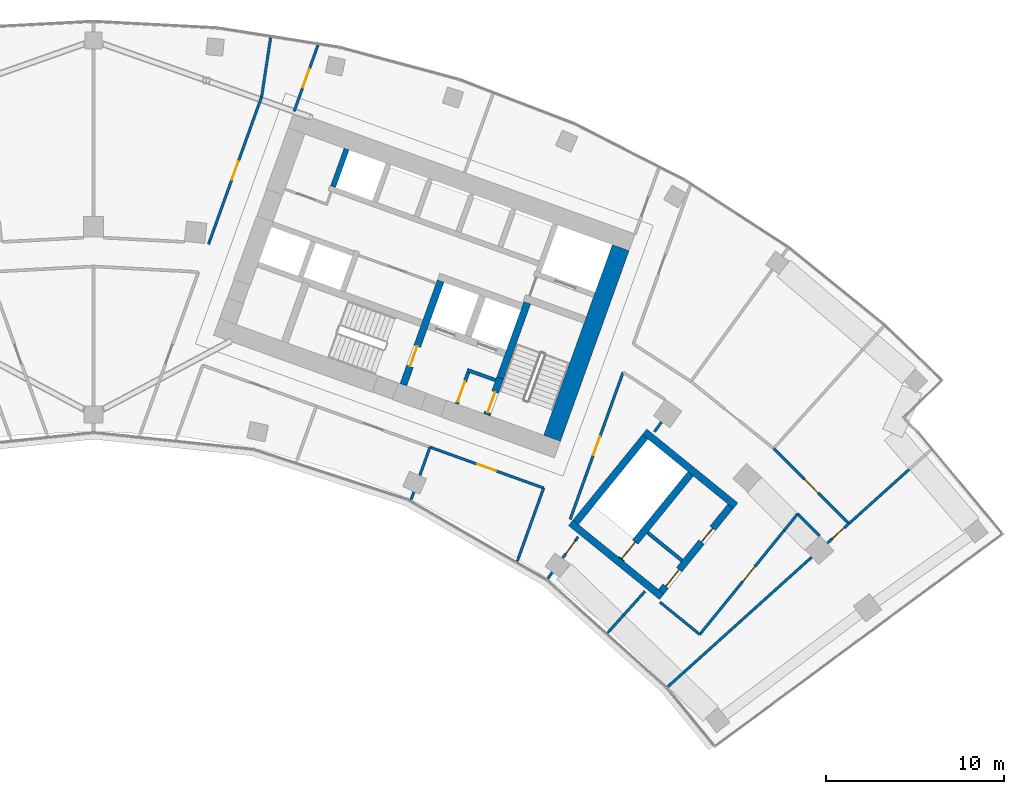
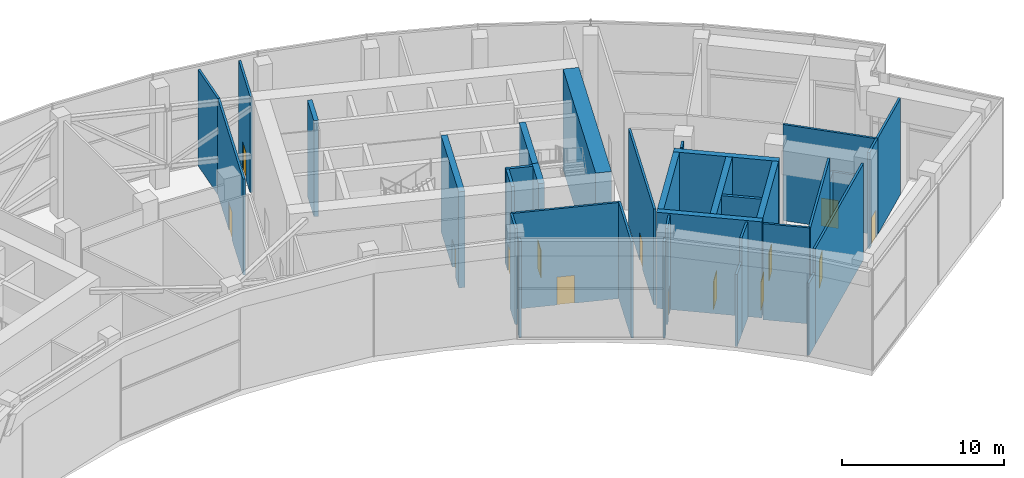
# One storey, part 22 of 26: 35 walls, 14 doors, 14 openings.
"""IFC4 building model written with IfcOpenShell, lengths in metres."""

from ifc_helpers import new_model, si_unit, direction, frame, frame_2d, origin, place, context, subcontext, project, spatial, rectangle, extrude, material, layer, layer_set, type_object, element, fill, save


model = new_model("IFC4")

# Units and contexts
model_context = context("Model", 3, precision=1e-05, world=origin(), true_north=direction((0.0, 1.0)))
body_context = subcontext(model_context, "Body", "Model", "MODEL_VIEW")
ifc_project = project(units=[si_unit("LENGTHUNIT", "METRE"), si_unit("AREAUNIT", "SQUARE_METRE"), si_unit("VOLUMEUNIT", "CUBIC_METRE"), si_unit("PLANEANGLEUNIT", "RADIAN"), si_unit("MASSUNIT", "GRAM", prefix="KILO")], contexts=[model_context])

# Site, building, storey
site_placement = place(None, origin())
site = spatial("IfcSite", under=ifc_project, at=site_placement, CompositionType="ELEMENT")
building_placement = place(site_placement, origin())
building = spatial("IfcBuilding", under=site, at=building_placement, Name="Stone Belt Terrace Tower", CompositionType="ELEMENT")
storey_placement = place(building_placement, frame((0.0, 0.0, 250.39990234375)))
storey = spatial("IfcBuildingStorey", under=building, at=storey_placement, Name="L61", CompositionType="ELEMENT", Elevation=250.39990234375)

# Walls
ifc_material_1 = material(Name="Concrete B60", Category="concrete")
ifc_layer_1 = layer(ifc_material_1, 1.0)
ifc_layer_set_1 = layer_set([ifc_layer_1], Name="Core wall 1000 B60")
wall_type_1 = type_object("IfcWallType", Name="Core wall 1000 B60", PredefinedType="SHEAR", material=ifc_layer_set_1)
wall_1_placement = place(storey_placement, frame((25.821044921875, 43.102783203125, 0.0), z_axis=(0.0, 0.0, 1.0), x_axis=(0.338625431531, 0.940921259788, 0.0)))
element("IfcWall", 1, at=wall_1_placement, inside=storey, type_object=wall_type_1, Name="Core B wall end_b L61", PredefinedType="SHEAR", context=body_context, shape_type="SweptSolid", body=[
    extrude(rectangle(XDim=11.400146484375, YDim=1.0, at=frame_2d((5.7001953125, 0.0))), origin(), (0.0, 0.0, 1.0), 7.60009765625),
])
ifc_material_2 = material(Name="Concrete B80", Category="concrete")
ifc_layer_2 = layer(ifc_material_2, 0.300048828125)
ifc_layer_set_2 = layer_set([ifc_layer_2], Name="Lift shaft wall 300")
wall_type_2 = type_object("IfcWallType", Name="Lift shaft wall 300", PredefinedType="SHEAR", material=ifc_layer_set_2)
wall_2_placement = place(storey_placement, frame((13.48828125, 57.265625, 0.0), z_axis=(0.0, 0.0, 1.0), x_axis=(0.338631098537, 0.940919220286, 0.0)))
element("IfcWall", 2, at=wall_2_placement, inside=storey, type_object=wall_type_2, Name="Core B wall", PredefinedType="SHEAR", context=body_context, shape_type="SweptSolid", body=[
    extrude(rectangle(XDim=2.250244140625, YDim=0.300048828125, at=frame_2d((1.125, 0.0))), origin(), (0.0, 0.0, 1.0), 7.25),
])

# Wall, opening, door
ifc_material_3 = material(Name="Gypsum board partition")
ifc_layer_3 = layer(ifc_material_3, 0.14990234375)
ifc_layer_set_3 = layer_set([ifc_layer_3], Name="PARTITION 150 EI 60")
wall_type_3 = type_object("IfcWallType", Name="PARTITION 150 EI 60", PredefinedType="PARTITIONING", material=ifc_layer_set_3)
wall_3_placement = place(storey_placement, frame((12.6357421875, 65.232177734375, 0.0), z_axis=(0.0, 0.0, 1.0), x_axis=(-0.338610223579, -0.940926732795, 0.0)))
wall_3 = element("IfcWall", 3, at=wall_3_placement, inside=storey, type_object=wall_type_3, Name="L61/wall/i021", PredefinedType="PARTITIONING", context=body_context, shape_type="SweptSolid", body=[
    extrude(rectangle(XDim=3.956787109375, YDim=0.14990234375, at=frame_2d((1.978515625, 0.0))), origin(), (0.0, 0.0, 1.0), 7.25),
])
opening_1_placement = place(wall_3_placement, frame((1.428466796875, 0.0, 0.0)))
opening_1 = element("IfcOpeningElement", 4, at=opening_1_placement, cuts=wall_3, Name="Opening D-T4-09", PredefinedType="OPENING", context=body_context, shape_type="SweptSolid", body=[
    extrude(rectangle(XDim=1.10009765625, YDim=2.10009765625, at=frame_2d((0.550048828125, 1.050048828125))), frame((0.0, 0.0849609375, 0.0), z_axis=(0.0, -1.0, 0.0), x_axis=(1.0, 0.0, 0.0)), (0.0, 0.0, 1.0), 0.169921875),
])
ifc_material_4 = material(Name="Steel fire door set", Category="steel")
door_type_1 = type_object("IfcDoorType", Name="SERVICE ROOM DOOR 1100 X 2100", OperationType="NOTDEFINED", PredefinedType="DOOR", material=ifc_material_4)
door_1_placement = place(opening_1_placement, origin())
door_1 = element("IfcDoor", 5, at=door_1_placement, inside=storey, type_object=door_type_1, Name="L61/door/i09", OperationType="SINGLE_SWING_RIGHT", OverallHeight=2.10009765625, OverallWidth=1.10009765625, PredefinedType="DOOR", context=body_context, shape_type="SweptSolid", body=[
    extrude(rectangle(XDim=1.10009765625, YDim=2.10009765625, at=frame_2d((0.550048828125, 1.050048828125))), frame((0.0, 0.02490234375, 0.0), z_axis=(0.0, -1.0, 0.0), x_axis=(1.0, 0.0, 0.0)), (0.0, 0.0, 1.0), 0.050048828125),
])
fill(opening_1, door_1)

wall_4_placement = place(storey_placement, frame((6.47509765625, 54.02001953125, 0.0), z_axis=(0.0, 0.0, 1.0), x_axis=(0.338603075024, 0.940929305307, 0.0)))
wall_4 = element("IfcWall", 6, at=wall_4_placement, inside=storey, type_object=wall_type_3, Name="L61/wall/i023", PredefinedType="PARTITIONING", context=body_context, shape_type="SweptSolid", body=[
    extrude(rectangle(XDim=8.839111328125, YDim=0.14990234375, at=frame_2d((4.41943359375, 0.0))), origin(), (0.0, 0.0, 1.0), 7.25),
])
opening_2_placement = place(wall_4_placement, frame((3.86962890625, 0.0, 0.0)))
opening_2 = element("IfcOpeningElement", 7, at=opening_2_placement, cuts=wall_4, Name="Opening D-T4-28", PredefinedType="OPENING", context=body_context, shape_type="SweptSolid", body=[
    extrude(rectangle(XDim=1.10009765625, YDim=2.10009765625, at=frame_2d((0.550048828125, 1.050048828125))), frame((0.0, 0.0849609375, 0.0), z_axis=(0.0, -1.0, 0.0), x_axis=(1.0, 0.0, 0.0)), (0.0, 0.0, 1.0), 0.169921875),
])
door_2_placement = place(opening_2_placement, origin())
door_2 = element("IfcDoor", 8, at=door_2_placement, inside=storey, type_object=door_type_1, Name="L61/door/i28", OperationType="SINGLE_SWING_LEFT", OverallHeight=2.10009765625, OverallWidth=1.10009765625, PredefinedType="DOOR", context=body_context, shape_type="SweptSolid", body=[
    extrude(rectangle(XDim=1.10009765625, YDim=2.10009765625, at=frame_2d((0.550048828125, 1.050048828125))), frame((0.0, 0.02490234375, 0.0), z_axis=(0.0, -1.0, 0.0), x_axis=(1.0, 0.0, 0.0)), (0.0, 0.0, 1.0), 0.050048828125),
])
fill(opening_2, door_2)

# Walls
wall_5_placement = place(storey_placement, frame((9.468017578125, 62.337890625, 0.0), z_axis=(0.0, 0.0, 1.0), x_axis=(0.150154488208, 0.988662545903, 0.0)))
element("IfcWall", 9, at=wall_5_placement, inside=storey, type_object=wall_type_3, Name="L61/wall/i024", PredefinedType="PARTITIONING", context=body_context, shape_type="SweptSolid", body=[
    extrude(rectangle(XDim=3.35595703125, YDim=0.14990234375, at=frame_2d((1.677978515625, 0.0))), origin(), (0.0, 0.0, 1.0), 7.25),
])
wall_6_placement = place(storey_placement, frame((23.860107421875, 36.1787109375, 0.0), z_axis=(0.0, 0.0, 1.0), x_axis=(0.338603151709, 0.94092927771, 0.0)))
element("IfcWall", 10, at=wall_6_placement, inside=storey, type_object=wall_type_3, Name="L61/wall/i025", PredefinedType="PARTITIONING", context=body_context, shape_type="SweptSolid", body=[
    extrude(rectangle(XDim=4.38525390625, YDim=0.14990234375, at=frame_2d((2.192626953125, 0.0))), origin(), (0.0, 0.0, 1.0), 7.25),
])

# Wall, opening, door
wall_7_placement = place(storey_placement, frame((29.819091796875, 46.826904296875, 0.0), z_axis=(0.0, 0.0, 1.0), x_axis=(-0.338620385032, -0.940923075942, 0.0)))
wall_7 = element("IfcWall", 11, at=wall_7_placement, inside=storey, type_object=wall_type_3, Name="L61/wall/i027", PredefinedType="PARTITIONING", context=body_context, shape_type="SweptSolid", body=[
    extrude(rectangle(XDim=8.8125, YDim=0.14990234375, at=frame_2d((4.40625, 0.0))), origin(), (0.0, 0.0, 1.0), 7.25),
])
opening_3_placement = place(wall_7_placement, frame((3.856201171875, 0.0, 0.0)))
opening_3 = element("IfcOpeningElement", 12, at=opening_3_placement, cuts=wall_7, Name="Opening D-T4-19", PredefinedType="OPENING", context=body_context, shape_type="SweptSolid", body=[
    extrude(rectangle(XDim=1.10009765625, YDim=2.10009765625, at=frame_2d((0.550048828125, 1.050048828125))), frame((0.0, 0.0849609375, 0.0), z_axis=(0.0, -1.0, 0.0), x_axis=(1.0, 0.0, 0.0)), (0.0, 0.0, 1.0), 0.169921875),
])
door_3_placement = place(opening_3_placement, origin())
door_3 = element("IfcDoor", 13, at=door_3_placement, inside=storey, type_object=door_type_1, Name="L61/door/i19", OperationType="SINGLE_SWING_LEFT", OverallHeight=2.10009765625, OverallWidth=1.10009765625, PredefinedType="DOOR", context=body_context, shape_type="SweptSolid", body=[
    extrude(rectangle(XDim=1.10009765625, YDim=2.10009765625, at=frame_2d((0.550048828125, 1.050048828125))), frame((0.0, 0.02490234375, 0.0), z_axis=(0.0, -1.0, 0.0), x_axis=(1.0, 0.0, 0.0)), (0.0, 0.0, 1.0), 0.050048828125),
])
fill(opening_3, door_3)

wall_8_placement = place(storey_placement, frame((27.282958984375, 37.552001953125, 0.0), z_axis=(0.0, 0.0, 1.0), x_axis=(-0.587894549619, -0.808937573938, 0.0)))
wall_8 = element("IfcWall", 14, at=wall_8_placement, inside=storey, type_object=wall_type_3, Name="L61/wall/i028", PredefinedType="PARTITIONING", context=body_context, shape_type="SweptSolid", body=[
    extrude(rectangle(XDim=1.466796875, YDim=0.14990234375, at=frame_2d((0.7333984375, 0.0))), origin(), (0.0, 0.0, 1.0), 7.25),
])
opening_4_placement = place(wall_8_placement, frame((0.283447265625, 0.0, 0.0)))
opening_4 = element("IfcOpeningElement", 15, at=opening_4_placement, cuts=wall_8, Name="Opening D-T4-20", PredefinedType="OPENING", context=body_context, shape_type="SweptSolid", body=[
    extrude(rectangle(XDim=0.89990234375, YDim=2.10009765625, at=frame_2d((0.449951171875, 1.050048828125))), frame((0.0, 0.0849609375, 0.0), z_axis=(0.0, -1.0, 0.0), x_axis=(1.0, 0.0, 0.0)), (0.0, 0.0, 1.0), 0.169921875),
])
door_type_2 = type_object("IfcDoorType", Name="SERVICE ROOM DOOR 900 X 2100", OperationType="NOTDEFINED", PredefinedType="DOOR", material=ifc_material_4)
door_4_placement = place(opening_4_placement, origin())
door_4 = element("IfcDoor", 16, at=door_4_placement, inside=storey, type_object=door_type_2, Name="L61/door/i20", OperationType="SINGLE_SWING_RIGHT", OverallHeight=2.10009765625, OverallWidth=0.89990234375, PredefinedType="DOOR", context=body_context, shape_type="SweptSolid", body=[
    extrude(rectangle(XDim=0.89990234375, YDim=2.10009765625, at=frame_2d((0.449951171875, 1.050048828125))), frame((0.0, 0.02490234375, 0.0), z_axis=(0.0, -1.0, 0.0), x_axis=(1.0, 0.0, 0.0)), (0.0, 0.0, 1.0), 0.050048828125),
])
fill(opening_4, door_4)

# Wall
wall_9_placement = place(storey_placement, frame((25.826904296875, 35.54833984375, 0.0), z_axis=(0.0, 0.0, 1.0), x_axis=(-0.587676645097, -0.809095890984, 0.0)))
element("IfcWall", 17, at=wall_9_placement, inside=storey, type_object=wall_type_3, Name="L61/wall/i029", PredefinedType="PARTITIONING", context=body_context, shape_type="SweptSolid", body=[
    extrude(rectangle(XDim=0.43994140625, YDim=0.14990234375, at=frame_2d((0.219970703125, 0.0))), origin(), (0.0, 0.0, 1.0), 7.25),
])

# Wall, opening, door
wall_10_placement = place(storey_placement, frame((25.343017578125, 40.299072265625, 0.0), z_axis=(0.0, 0.0, 1.0), x_axis=(-0.940912101909, 0.338650876982, 0.0)))
wall_10 = element("IfcWall", 18, at=wall_10_placement, inside=storey, type_object=wall_type_3, Name="L61/wall/i033", PredefinedType="PARTITIONING", context=body_context, shape_type="SweptSolid", body=[
    extrude(rectangle(XDim=6.80615234375, YDim=0.14990234375, at=frame_2d((3.403076171875, 0.0))), origin(), (0.0, 0.0, 1.0), 7.25),
])
opening_5_placement = place(wall_10_placement, frame((2.85302734375, 0.0, 0.0)))
opening_5 = element("IfcOpeningElement", 19, at=opening_5_placement, cuts=wall_10, Name="Opening D-T4-08", PredefinedType="OPENING", context=body_context, shape_type="SweptSolid", body=[
    extrude(rectangle(XDim=1.10009765625, YDim=2.10009765625, at=frame_2d((0.550048828125, 1.050048828125))), frame((0.0, 0.0849609375, 0.0), z_axis=(0.0, -1.0, 0.0), x_axis=(1.0, 0.0, 0.0)), (0.0, 0.0, 1.0), 0.169921875),
])
door_5_placement = place(opening_5_placement, origin())
door_5 = element("IfcDoor", 20, at=door_5_placement, inside=storey, type_object=door_type_1, Name="L61/door/i08", OperationType="SINGLE_SWING_RIGHT", OverallHeight=2.10009765625, OverallWidth=1.10009765625, PredefinedType="DOOR", context=body_context, shape_type="SweptSolid", body=[
    extrude(rectangle(XDim=1.10009765625, YDim=2.10009765625, at=frame_2d((0.550048828125, 1.050048828125))), frame((0.0, 0.02490234375, 0.0), z_axis=(0.0, -1.0, 0.0), x_axis=(1.0, 0.0, 0.0)), (0.0, 0.0, 1.0), 0.050048828125),
])
fill(opening_5, door_5)

# Walls
wall_11_placement = place(storey_placement, frame((18.945068359375, 42.60205078125, 0.0), z_axis=(0.0, 0.0, 1.0), x_axis=(-0.338472331555, -0.940976344427, 0.0)))
element("IfcWall", 21, at=wall_11_placement, inside=storey, type_object=wall_type_3, Name="L61/wall/i035", PredefinedType="PARTITIONING", context=body_context, shape_type="SweptSolid", body=[
    extrude(rectangle(XDim=1.67919921875, YDim=0.14990234375, at=frame_2d((0.839599609375, 0.0))), origin(), (0.0, 0.0, 1.0), 7.25),
])
wall_12_placement = place(storey_placement, frame((18.03369140625, 40.069091796875, 0.0), z_axis=(0.0, 0.0, 1.0), x_axis=(-0.338566006088, -0.940942644119, 0.0)))
element("IfcWall", 22, at=wall_12_placement, inside=storey, type_object=wall_type_3, Name="L61/wall/i036", PredefinedType="PARTITIONING", context=body_context, shape_type="SweptSolid", body=[
    extrude(rectangle(XDim=0.45068359375, YDim=0.14990234375, at=frame_2d((0.225341796875, 0.0))), origin(), (0.0, 0.0, 1.0), 7.25),
])

# Wall, opening, door
wall_13_placement = place(storey_placement, frame((42.530029296875, 38.294921875, 0.0), z_axis=(0.0, 0.0, 1.0), x_axis=(-0.742950468498, -0.66934639863, 0.0)))
wall_13 = element("IfcWall", 23, at=wall_13_placement, inside=storey, type_object=wall_type_3, Name="L61/wall/i055", PredefinedType="PARTITIONING", context=body_context, shape_type="SweptSolid", body=[
    extrude(rectangle(XDim=1.625244140625, YDim=0.14990234375, at=frame_2d((0.8125, 0.0))), origin(), (0.0, 0.0, 1.0), 7.25),
])
opening_6_placement = place(wall_13_placement, frame((0.362548828125, 0.0, 0.0)))
opening_6 = element("IfcOpeningElement", 24, at=opening_6_placement, cuts=wall_13, Name="Opening D-T4-18", PredefinedType="OPENING", context=body_context, shape_type="SweptSolid", body=[
    extrude(rectangle(XDim=0.89990234375, YDim=2.10009765625, at=frame_2d((0.449951171875, 1.050048828125))), frame((0.0, 0.0849609375, 0.0), z_axis=(0.0, -1.0, 0.0), x_axis=(1.0, 0.0, 0.0)), (0.0, 0.0, 1.0), 0.169921875),
])
door_6_placement = place(opening_6_placement, origin())
door_6 = element("IfcDoor", 25, at=door_6_placement, inside=storey, type_object=door_type_2, Name="L61/door/i18", OperationType="SINGLE_SWING_RIGHT", OverallHeight=2.10009765625, OverallWidth=0.89990234375, PredefinedType="DOOR", context=body_context, shape_type="SweptSolid", body=[
    extrude(rectangle(XDim=0.89990234375, YDim=2.10009765625, at=frame_2d((0.449951171875, 1.050048828125))), frame((0.0, 0.02490234375, 0.0), z_axis=(0.0, -1.0, 0.0), x_axis=(1.0, 0.0, 0.0)), (0.0, 0.0, 1.0), 0.050048828125),
])
fill(opening_6, door_6)

# Walls
wall_14_placement = place(storey_placement, frame((32.32666015625, 29.107177734375, 0.0), z_axis=(0.0, 0.0, 1.0), x_axis=(0.743223788274, 0.669042898881, 0.0)))
element("IfcWall", 26, at=wall_14_placement, inside=storey, type_object=wall_type_3, Name="L61/wall/i056-1", PredefinedType="PARTITIONING", context=body_context, shape_type="SweptSolid", body=[
    extrude(rectangle(XDim=1.207763671875, YDim=0.14990234375, at=frame_2d((0.60400390625, 0.0))), origin(), (0.0, 0.0, 1.0), 5.4501953125),
])
wall_15_placement = place(storey_placement, frame((33.224365234375, 29.915283203125, 0.0), z_axis=(0.0, 0.0, 1.0), x_axis=(0.743111159054, 0.669167994818, 0.0)))
element("IfcWall", 27, at=wall_15_placement, inside=storey, type_object=wall_type_3, Name="L61/wall/i056-2", PredefinedType="PARTITIONING", context=body_context, shape_type="SweptSolid", body=[
    extrude(rectangle(XDim=9.687255859375, YDim=0.14990234375, at=frame_2d((4.84375, 0.0))), origin(), (0.0, 0.0, 1.0), 7.25),
])
wall_16_placement = place(storey_placement, frame((42.52197265625, 38.287109375, 0.0), z_axis=(0.0, 0.0, 1.0), x_axis=(0.74310857171, 0.669170868054, 0.0)))
element("IfcWall", 28, at=wall_16_placement, inside=storey, type_object=wall_type_3, Name="L61/wall/i057-1", PredefinedType="PARTITIONING", context=body_context, shape_type="SweptSolid", body=[
    extrude(rectangle(XDim=4.579833984375, YDim=0.14990234375, at=frame_2d((2.2900390625, 0.0))), origin(), (0.0, 0.0, 1.0), 7.25),
])
wall_17_placement = place(storey_placement, frame((31.580078125, 43.466064453125, 0.0), z_axis=(0.0, 0.0, 1.0), x_axis=(0.587823865289, 0.808988938983, 0.0)))
element("IfcWall", 29, at=wall_17_placement, inside=storey, type_object=wall_type_3, Name="L61/wall/i058", PredefinedType="PARTITIONING", context=body_context, shape_type="SweptSolid", body=[
    extrude(rectangle(XDim=0.66796875, YDim=0.14990234375, at=frame_2d((0.333984375, 0.0))), origin(), (0.0, 0.0, 1.0), 7.25),
])
wall_18_placement = place(storey_placement, frame((40.871826171875, 37.615234375, 0.0), z_axis=(0.0, 0.0, 1.0), x_axis=(-0.707176795224, 0.707036760216, 0.0)))
element("IfcWall", 30, at=wall_18_placement, inside=storey, type_object=wall_type_3, Name="L61/wall/i060", PredefinedType="PARTITIONING", context=body_context, shape_type="SweptSolid", body=[
    extrude(rectangle(XDim=1.743408203125, YDim=0.14990234375, at=frame_2d((0.87158203125, 0.0))), origin(), (0.0, 0.0, 1.0), 5.4501953125),
])

# Wall, opening, door
wall_19_placement = place(storey_placement, frame((38.291015625, 42.52587890625, 0.0), z_axis=(0.0, 0.0, 1.0), x_axis=(0.707106781187, -0.707106781187, 0.0)))
wall_19 = element("IfcWall", 31, at=wall_19_placement, inside=storey, type_object=wall_type_3, Name="L61/wall/i063", PredefinedType="PARTITIONING", context=body_context, shape_type="SweptSolid", body=[
    extrude(rectangle(XDim=5.989013671875, YDim=0.14990234375, at=frame_2d((2.99462890625, 0.0))), origin(), (0.0, 0.0, 1.0), 7.25),
])
opening_7_placement = place(wall_19_placement, frame((2.444580078125, 0.0, 0.0)))
opening_7 = element("IfcOpeningElement", 32, at=opening_7_placement, cuts=wall_19, Name="Opening D-T4-24", PredefinedType="OPENING", context=body_context, shape_type="SweptSolid", body=[
    extrude(rectangle(XDim=1.10009765625, YDim=2.10009765625, at=frame_2d((0.550048828125, 1.050048828125))), frame((0.0, 0.0849609375, 0.0), z_axis=(0.0, -1.0, 0.0), x_axis=(1.0, 0.0, 0.0)), (0.0, 0.0, 1.0), 0.169921875),
])
door_7_placement = place(opening_7_placement, origin())
door_7 = element("IfcDoor", 33, at=door_7_placement, inside=storey, type_object=door_type_1, Name="L61/door/i24", OperationType="SINGLE_SWING_RIGHT", OverallHeight=2.10009765625, OverallWidth=1.10009765625, PredefinedType="DOOR", context=body_context, shape_type="SweptSolid", body=[
    extrude(rectangle(XDim=1.10009765625, YDim=2.10009765625, at=frame_2d((0.550048828125, 1.050048828125))), frame((0.0, 0.02490234375, 0.0), z_axis=(0.0, -1.0, 0.0), x_axis=(1.0, 0.0, 0.0)), (0.0, 0.0, 1.0), 0.050048828125),
])
fill(opening_7, door_7)

# Wall
wall_20_placement = place(storey_placement, frame((39.64306640625, 38.843994140625, 0.0), z_axis=(0.0, 0.0, 1.0), x_axis=(-0.630290942722, -0.776359019734, 0.0)))
element("IfcWall", 34, at=wall_20_placement, inside=storey, type_object=wall_type_3, Name="L61/wall/i064-1", PredefinedType="PARTITIONING", context=body_context, shape_type="SweptSolid", body=[
    extrude(rectangle(XDim=1.1884765625, YDim=0.14990234375, at=frame_2d((0.59423828125, 0.0))), origin(), (0.0, 0.0, 1.0), 5.4501953125),
])

# Wall, opening, door
wall_21_placement = place(storey_placement, frame((38.89404296875, 37.92138671875, 0.0), z_axis=(0.0, 0.0, 1.0), x_axis=(-0.63021660769, -0.776419363097, 0.0)))
wall_21 = element("IfcWall", 35, at=wall_21_placement, inside=storey, type_object=wall_type_3, Name="L61/wall/i064-2", PredefinedType="PARTITIONING", context=body_context, shape_type="SweptSolid", body=[
    extrude(rectangle(XDim=7.554443359375, YDim=0.14990234375, at=frame_2d((3.77734375, 0.0))), origin(), (0.0, 0.0, 1.0), 7.25),
])
opening_8_placement = place(wall_21_placement, frame((2.63330078125, 0.0, 0.0)))
opening_8 = element("IfcOpeningElement", 36, at=opening_8_placement, cuts=wall_21, Name="Opening D-T4-21", PredefinedType="OPENING", context=body_context, shape_type="SweptSolid", body=[
    extrude(rectangle(XDim=1.10009765625, YDim=2.10009765625, at=frame_2d((0.550048828125, 1.050048828125))), frame((0.0, 0.0849609375, 0.0), z_axis=(0.0, -1.0, 0.0), x_axis=(1.0, 0.0, 0.0)), (0.0, 0.0, 1.0), 0.169921875),
])
door_8_placement = place(opening_8_placement, origin())
door_8 = element("IfcDoor", 37, at=door_8_placement, inside=storey, type_object=door_type_1, Name="L61/door/i21", OperationType="SINGLE_SWING_LEFT", OverallHeight=2.10009765625, OverallWidth=1.10009765625, PredefinedType="DOOR", context=body_context, shape_type="SweptSolid", body=[
    extrude(rectangle(XDim=1.10009765625, YDim=2.10009765625, at=frame_2d((0.550048828125, 1.050048828125))), frame((0.0, 0.02490234375, 0.0), z_axis=(0.0, -1.0, 0.0), x_axis=(1.0, 0.0, 0.0)), (0.0, 0.0, 1.0), 0.050048828125),
])
fill(opening_8, door_8)

# Walls
wall_22_placement = place(storey_placement, frame((34.133056640625, 32.055908203125, 0.0), z_axis=(0.0, 0.0, 1.0), x_axis=(-0.776369956068, 0.630277471686, 0.0)))
element("IfcWall", 38, at=wall_22_placement, inside=storey, type_object=wall_type_3, Name="L61/wall/i065", PredefinedType="PARTITIONING", context=body_context, shape_type="SweptSolid", body=[
    extrude(rectangle(XDim=2.8876953125, YDim=0.14990234375, at=frame_2d((1.44384765625, 0.0))), origin(), (0.0, 0.0, 1.0), 7.25),
])
wall_23_placement = place(storey_placement, frame((31.054931640625, 34.489990234375, 0.0), z_axis=(0.0, 0.0, 1.0), x_axis=(-0.669124061855, -0.743150718123, 0.0)))
element("IfcWall", 39, at=wall_23_placement, inside=storey, type_object=wall_type_3, Name="L61/wall/i066-1", PredefinedType="PARTITIONING", context=body_context, shape_type="SweptSolid", body=[
    extrude(rectangle(XDim=1.777587890625, YDim=0.14990234375, at=frame_2d((0.888671875, 0.0))), origin(), (0.0, 0.0, 1.0), 7.25),
])
wall_24_placement = place(storey_placement, frame((29.865478515625, 33.1689453125, 0.0), z_axis=(0.0, 0.0, 1.0), x_axis=(-0.669112234517, -0.743161367147, 0.0)))
element("IfcWall", 40, at=wall_24_placement, inside=storey, type_object=wall_type_3, Name="L61/wall/i066-2", PredefinedType="PARTITIONING", context=body_context, shape_type="SweptSolid", body=[
    extrude(rectangle(XDim=1.37158203125, YDim=0.14990234375, at=frame_2d((0.685791015625, 0.0))), origin(), (0.0, 0.0, 1.0), 5.4501953125),
])
ifc_material_5 = material(Name="Concrete masonry block", Category="masonry")
ifc_layer_4 = layer(ifc_material_5, 0.199951171875)
ifc_layer_set_4 = layer_set([ifc_layer_4], Name="Rated lobby wall 200")
wall_type_4 = type_object("IfcWallType", Name="Rated lobby wall 200", PredefinedType="PARTITIONING", material=ifc_layer_set_4)
wall_25_placement = place(storey_placement, frame((22.640625, 46.373046875, 0.0), z_axis=(0.0, 0.0, 1.0), x_axis=(-0.940966110313, 0.338500781747, 0.0)))
element("IfcWall", 41, at=wall_25_placement, inside=storey, type_object=wall_type_4, Name="Core B wall", PredefinedType="PARTITIONING", context=body_context, shape_type="SweptSolid", body=[
    extrude(rectangle(XDim=1.699951171875, YDim=0.199951171875, at=frame_2d((0.85009765625, 0.0))), origin(), (0.0, 0.0, 1.0), 7.25),
])

# Wall, opening, door
wall_26_placement = place(storey_placement, frame((20.4580078125, 45.032958984375, 0.0), z_axis=(0.0, 0.0, 1.0), x_axis=(0.338573865316, 0.940939816208, 0.0)))
wall_26 = element("IfcWall", 42, at=wall_26_placement, inside=storey, type_object=wall_type_4, Name="Core B wall", PredefinedType="PARTITIONING", context=body_context, shape_type="SweptSolid", body=[
    extrude(rectangle(XDim=1.900146484375, YDim=0.199951171875, at=frame_2d((0.9501953125, 0.0))), origin(), (0.0, 0.0, 1.0), 7.25),
])
opening_9_placement = place(wall_26_placement, frame((0.14990234375, 0.0, 0.0)))
opening_9 = element("IfcOpeningElement", 43, at=opening_9_placement, cuts=wall_26, Name="Opening L61-C16", PredefinedType="OPENING", context=body_context, shape_type="SweptSolid", body=[
    extrude(rectangle(XDim=1.199951171875, YDim=2.10009765625, at=frame_2d((0.60009765625, 1.050048828125))), frame((0.0, 0.10986328125, 0.0), z_axis=(0.0, -1.0, 0.0), x_axis=(1.0, 0.0, 0.0)), (0.0, 0.0, 1.0), 0.219970703125),
])
ifc_material_6 = material(Name="Steel door leaf", Category="steel")
door_type_3 = type_object("IfcDoorType", Name="Stair door 1200", OperationType="SINGLE_SWING_LEFT", PredefinedType="DOOR", material=ifc_material_6)
door_9_placement = place(opening_9_placement, origin())
door_9 = element("IfcDoor", 44, at=door_9_placement, inside=storey, type_object=door_type_3, Name="Stair airlock door core B", OperationType="SINGLE_SWING_LEFT", OverallHeight=2.10009765625, OverallWidth=1.199951171875, PredefinedType="DOOR", context=body_context, shape_type="SweptSolid", body=[
    extrude(rectangle(XDim=1.199951171875, YDim=2.10009765625, at=frame_2d((0.60009765625, 1.050048828125))), frame((0.0, 0.02490234375, 0.0), z_axis=(0.0, -1.0, 0.0), x_axis=(1.0, 0.0, 0.0)), (0.0, 0.0, 1.0), 0.050048828125),
])
fill(opening_9, door_9)

# Wall
wall_27_placement = place(storey_placement, frame((31.190673828125, 37.79296875, 0.0), z_axis=(0.0, 0.0, 1.0), x_axis=(0.776370830301, -0.630276394813, 0.0)))
element("IfcWall", 45, at=wall_27_placement, inside=storey, type_object=wall_type_4, Name="Exit stair ST3B wall", PredefinedType="PARTITIONING", context=body_context, shape_type="SweptSolid", body=[
    extrude(rectangle(XDim=2.5, YDim=0.199951171875, at=frame_2d((1.25, 0.0))), origin(), (0.0, 0.0, 1.0), 7.25),
])

# Wall, opening, door
ifc_layer_5 = layer(ifc_material_2, 0.39990234375)
ifc_layer_set_5 = layer_set([ifc_layer_5], Name="Stair enclosure wall 400")
wall_type_5 = type_object("IfcWallType", Name="Stair enclosure wall 400", PredefinedType="SHEAR", material=ifc_layer_set_5)
wall_28_placement = place(storey_placement, frame((22.151611328125, 44.42333984375, 0.0), z_axis=(0.0, 0.0, 1.0), x_axis=(0.338577997708, 0.940938329259, 0.0)))
wall_28 = element("IfcWall", 46, at=wall_28_placement, inside=storey, type_object=wall_type_5, Name="Core B wall", PredefinedType="SHEAR", context=body_context, shape_type="SweptSolid", body=[
    extrude(rectangle(XDim=2.199951171875, YDim=0.39990234375, at=frame_2d((1.10009765625, 0.0))), origin(), (0.0, 0.0, 1.0), 7.25),
])
opening_10_placement = place(wall_28_placement, frame((0.14990234375, 0.0, 0.0)))
opening_10 = element("IfcOpeningElement", 47, at=opening_10_placement, cuts=wall_28, Name="Opening L61-C15", PredefinedType="OPENING", context=body_context, shape_type="SweptSolid", body=[
    extrude(rectangle(XDim=1.199951171875, YDim=2.10009765625, at=frame_2d((0.60009765625, 1.050048828125))), frame((0.0, 0.2099609375, 0.0), z_axis=(0.0, -1.0, 0.0), x_axis=(1.0, 0.0, 0.0)), (0.0, 0.0, 1.0), 0.419921875),
])
door_10_placement = place(opening_10_placement, origin())
door_10 = element("IfcDoor", 48, at=door_10_placement, inside=storey, type_object=door_type_3, Name="Stair 1 door core B", OperationType="SINGLE_SWING_LEFT", OverallHeight=2.10009765625, OverallWidth=1.199951171875, PredefinedType="DOOR", context=body_context, shape_type="SweptSolid", body=[
    extrude(rectangle(XDim=1.199951171875, YDim=2.10009765625, at=frame_2d((0.60009765625, 1.050048828125))), frame((0.0, 0.02490234375, 0.0), z_axis=(0.0, -1.0, 0.0), x_axis=(1.0, 0.0, 0.0)), (0.0, 0.0, 1.0), 0.050048828125),
])
fill(opening_10, door_10)

# Wall
wall_29_placement = place(storey_placement, frame((22.896484375, 46.493408203125, 0.0), z_axis=(0.0, 0.0, 1.0), x_axis=(0.338648384874, 0.940912998859, 0.0)))
element("IfcWall", 49, at=wall_29_placement, inside=storey, type_object=wall_type_5, Name="Core B wall", PredefinedType="SHEAR", context=body_context, shape_type="SweptSolid", body=[
    extrude(rectangle(XDim=4.5, YDim=0.39990234375, at=frame_2d((2.25, 0.0))), origin(), (0.0, 0.0, 1.0), 7.25),
])

# Wall, opening, door
wall_30_placement = place(storey_placement, frame((17.447021484375, 46.116455078125, 0.0), z_axis=(0.0, 0.0, 1.0), x_axis=(0.33860791464, 0.940927563707, 0.0)))
wall_30 = element("IfcWall", 50, at=wall_30_placement, inside=storey, type_object=wall_type_5, Name="Core B wall", PredefinedType="SHEAR", context=body_context, shape_type="SweptSolid", body=[
    extrude(rectangle(XDim=6.199951171875, YDim=0.39990234375, at=frame_2d((3.10009765625, 0.0))), origin(), (0.0, 0.0, 1.0), 7.25),
])
opening_11_placement = place(wall_30_placement, frame((1.10009765625, 0.0, 0.0)))
opening_11 = element("IfcOpeningElement", 51, at=opening_11_placement, cuts=wall_30, Name="Opening L61-C18", PredefinedType="OPENING", context=body_context, shape_type="SweptSolid", body=[
    extrude(rectangle(XDim=1.199951171875, YDim=2.10009765625, at=frame_2d((0.60009765625, 1.050048828125))), frame((0.0, 0.2099609375, 0.0), z_axis=(0.0, -1.0, 0.0), x_axis=(1.0, 0.0, 0.0)), (0.0, 0.0, 1.0), 0.419921875),
])
door_11_placement = place(opening_11_placement, origin())
door_11 = element("IfcDoor", 52, at=door_11_placement, inside=storey, type_object=door_type_3, Name="Stair 2 door core B", OperationType="SINGLE_SWING_LEFT", OverallHeight=2.10009765625, OverallWidth=1.199951171875, PredefinedType="DOOR", context=body_context, shape_type="SweptSolid", body=[
    extrude(rectangle(XDim=1.199951171875, YDim=2.10009765625, at=frame_2d((0.60009765625, 1.050048828125))), frame((0.0, 0.02490234375, 0.0), z_axis=(0.0, -1.0, 0.0), x_axis=(1.0, 0.0, 0.0)), (0.0, 0.0, 1.0), 0.050048828125),
])
fill(opening_11, door_11)

# Walls
wall_31_placement = place(storey_placement, frame((26.868408203125, 38.3388671875, 0.0), z_axis=(0.0, 0.0, 1.0), x_axis=(0.776428452498, -0.630205409491, 0.0)))
element("IfcWall", 53, at=wall_31_placement, inside=storey, type_object=wall_type_5, Name="Exit stair ST3B wall", PredefinedType="SHEAR", context=body_context, shape_type="SweptSolid", body=[
    extrude(rectangle(XDim=6.60009765625, YDim=0.39990234375, at=frame_2d((3.300048828125, 0.0))), origin(), (0.0, 0.0, 1.0), 7.25),
])
wall_32_placement = place(storey_placement, frame((31.02783203125, 43.46337890625, 0.0), z_axis=(0.0, 0.0, 1.0), x_axis=(0.776413760801, -0.630223509589, 0.0)))
element("IfcWall", 54, at=wall_32_placement, inside=storey, type_object=wall_type_5, Name="Exit stair ST3B wall", PredefinedType="SHEAR", context=body_context, shape_type="SweptSolid", body=[
    extrude(rectangle(XDim=6.599853515625, YDim=0.39990234375, at=frame_2d((3.2998046875, 0.0))), origin(), (0.0, 0.0, 1.0), 7.25),
])
wall_33_placement = place(storey_placement, frame((27.149658203125, 38.3681640625, 0.0), z_axis=(0.0, 0.0, 1.0), x_axis=(0.630211551729, 0.776423466973, 0.0)))
element("IfcWall", 55, at=wall_33_placement, inside=storey, type_object=wall_type_5, Name="Exit stair ST3B wall", PredefinedType="SHEAR", context=body_context, shape_type="SweptSolid", body=[
    extrude(rectangle(XDim=6.199951171875, YDim=0.39990234375, at=frame_2d((3.10009765625, 0.0))), origin(), (0.0, 0.0, 1.0), 7.25),
])

# Wall, openings, doors
wall_34_placement = place(storey_placement, frame((31.963623046875, 34.460693359375, 0.0), z_axis=(0.0, 0.0, 1.0), x_axis=(0.630192283849, 0.776439106033, 0.0)))
wall_34 = element("IfcWall", 56, at=wall_34_placement, inside=storey, type_object=wall_type_5, Name="Exit stair ST3B wall", PredefinedType="SHEAR", context=body_context, shape_type="SweptSolid", body=[
    extrude(rectangle(XDim=6.199951171875, YDim=0.39990234375, at=frame_2d((3.10009765625, 0.0))), origin(), (0.0, 0.0, 1.0), 7.25),
])
opening_12_placement = place(wall_34_placement, frame((0.39990234375, 0.0, 0.0)))
opening_12 = element("IfcOpeningElement", 57, at=opening_12_placement, cuts=wall_34, Name="Opening L61-C22", PredefinedType="OPENING", context=body_context, shape_type="SweptSolid", body=[
    extrude(rectangle(XDim=1.199951171875, YDim=2.10009765625, at=frame_2d((0.60009765625, 1.050048828125))), frame((0.0, 0.2099609375, 0.0), z_axis=(0.0, -1.0, 0.0), x_axis=(1.0, 0.0, 0.0)), (0.0, 0.0, 1.0), 0.419921875),
])
opening_13_placement = place(wall_34_placement, frame((3.60009765625, 0.0, 0.0)))
opening_13 = element("IfcOpeningElement", 58, at=opening_13_placement, cuts=wall_34, Name="Opening L61-C23", PredefinedType="OPENING", context=body_context, shape_type="SweptSolid", body=[
    extrude(rectangle(XDim=1.0, YDim=2.10009765625, at=frame_2d((0.5, 1.050048828125))), frame((0.0, 0.2099609375, 0.0), z_axis=(0.0, -1.0, 0.0), x_axis=(1.0, 0.0, 0.0)), (0.0, 0.0, 1.0), 0.419921875),
])
ifc_material_7 = material(Name="Timber door leaf", Category="wood")
door_type_4 = type_object("IfcDoorType", Name="Core room door 1000", OperationType="SINGLE_SWING_LEFT", PredefinedType="DOOR", material=ifc_material_7)
door_12_placement = place(opening_13_placement, origin())
door_12 = element("IfcDoor", 59, at=door_12_placement, inside=storey, type_object=door_type_4, Name="Door to stair pressurisation plant room ST3B", OperationType="SINGLE_SWING_RIGHT", OverallHeight=2.10009765625, OverallWidth=1.0, PredefinedType="DOOR", context=body_context, shape_type="SweptSolid", body=[
    extrude(rectangle(XDim=1.0, YDim=2.10009765625, at=frame_2d((0.5, 1.050048828125))), frame((0.0, 0.02490234375, 0.0), z_axis=(0.0, -1.0, 0.0), x_axis=(1.0, 0.0, 0.0)), (0.0, 0.0, 1.0), 0.050048828125),
])
fill(opening_13, door_12)
door_type_5 = type_object("IfcDoorType", Name="Stair airlock door 1200", OperationType="SINGLE_SWING_LEFT", PredefinedType="DOOR", material=ifc_material_6)
door_13_placement = place(opening_12_placement, origin())
door_13 = element("IfcDoor", 60, at=door_13_placement, inside=storey, type_object=door_type_5, Name="Stair airlock door ST3B", OperationType="SINGLE_SWING_RIGHT", OverallHeight=2.10009765625, OverallWidth=1.199951171875, PredefinedType="DOOR", context=body_context, shape_type="SweptSolid", body=[
    extrude(rectangle(XDim=1.199951171875, YDim=2.10009765625, at=frame_2d((0.60009765625, 1.050048828125))), frame((0.0, 0.02490234375, 0.0), z_axis=(0.0, -1.0, 0.0), x_axis=(1.0, 0.0, 0.0)), (0.0, 0.0, 1.0), 0.050048828125),
])
fill(opening_12, door_13)

# Wall, opening, door
wall_35_placement = place(storey_placement, frame((29.7119140625, 36.288330078125, 0.0), z_axis=(0.0, 0.0, 1.0), x_axis=(0.630192283849, 0.776439106033, 0.0)))
wall_35 = element("IfcWall", 61, at=wall_35_placement, inside=storey, type_object=wall_type_5, Name="Exit stair ST3B wall", PredefinedType="SHEAR", context=body_context, shape_type="SweptSolid", body=[
    extrude(rectangle(XDim=6.199951171875, YDim=0.39990234375, at=frame_2d((3.10009765625, 0.0))), origin(), (0.0, 0.0, 1.0), 7.25),
])
opening_14_placement = place(wall_35_placement, frame((0.050048828125, 0.0, 0.0)))
opening_14 = element("IfcOpeningElement", 62, at=opening_14_placement, cuts=wall_35, Name="Opening L61-C21", PredefinedType="OPENING", context=body_context, shape_type="SweptSolid", body=[
    extrude(rectangle(XDim=1.199951171875, YDim=2.10009765625, at=frame_2d((0.60009765625, 1.050048828125))), frame((0.0, 0.2099609375, 0.0), z_axis=(0.0, -1.0, 0.0), x_axis=(1.0, 0.0, 0.0)), (0.0, 0.0, 1.0), 0.419921875),
])
door_14_placement = place(opening_14_placement, origin())
door_14 = element("IfcDoor", 63, at=door_14_placement, inside=storey, type_object=door_type_3, Name="Stair door ST3B", OperationType="SINGLE_SWING_LEFT", OverallHeight=2.10009765625, OverallWidth=1.199951171875, PredefinedType="DOOR", context=body_context, shape_type="SweptSolid", body=[
    extrude(rectangle(XDim=1.199951171875, YDim=2.10009765625, at=frame_2d((0.60009765625, 1.050048828125))), frame((0.0, 0.02490234375, 0.0), z_axis=(0.0, -1.0, 0.0), x_axis=(1.0, 0.0, 0.0)), (0.0, 0.0, 1.0), 0.050048828125),
])
fill(opening_14, door_14)

save(model, "model.ifc")
